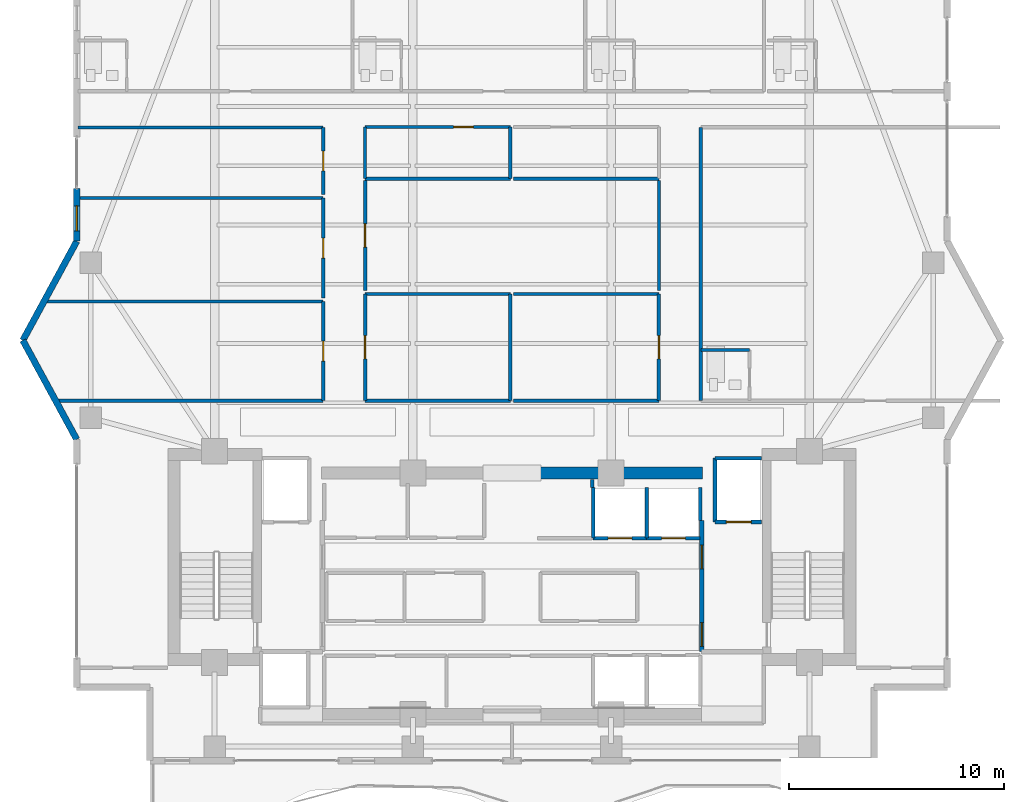
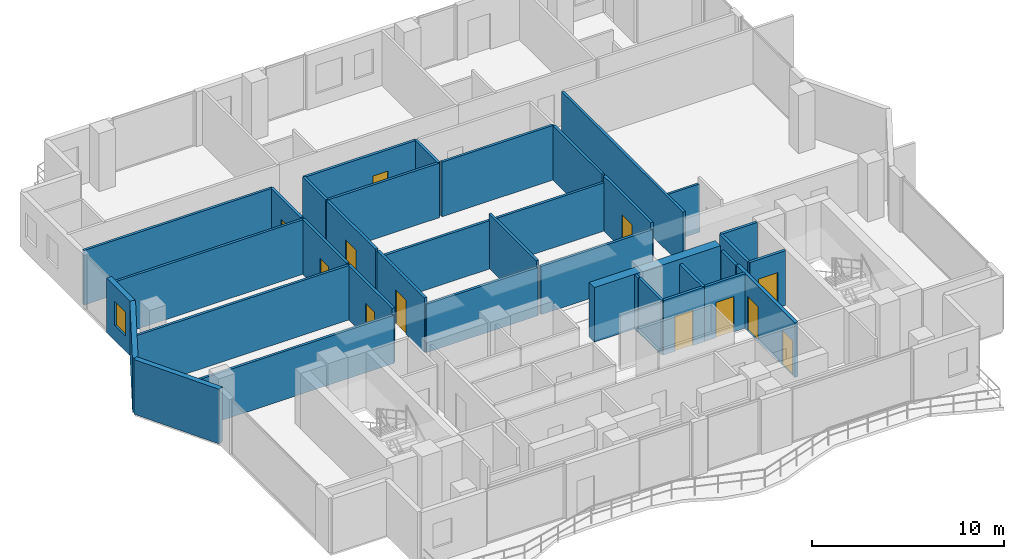
# One storey, part 18 of 23: 37 walls, 12 doors, 1 window, 13 openings.
"""IFC4 building model written with IfcOpenShell, lengths in metres."""

from ifc_helpers import new_model, si_unit, direction, frame, frame_2d, origin, place, context, subcontext, project, spatial, rectangle, extrude, material, layer, layer_set, type_object, element, fill, save


model = new_model("IFC4")

# Units and contexts
model_context = context("Model", 3, precision=1e-05, world=origin(), true_north=direction((0.0, 1.0)))
body_context = subcontext(model_context, "Body", "Model", "MODEL_VIEW")
ifc_project = project(units=[si_unit("LENGTHUNIT", "METRE"), si_unit("AREAUNIT", "SQUARE_METRE"), si_unit("VOLUMEUNIT", "CUBIC_METRE"), si_unit("PLANEANGLEUNIT", "RADIAN"), si_unit("MASSUNIT", "GRAM", prefix="KILO")], contexts=[model_context])

# Site, building, storey
site_placement = place(None, origin())
site = spatial("IfcSite", under=ifc_project, at=site_placement, CompositionType="ELEMENT")
building_placement = place(site_placement, origin())
building = spatial("IfcBuilding", under=site, at=building_placement, Name="Zuhayl Quay Hotel", CompositionType="ELEMENT")
storey_placement = place(building_placement, frame((0.0, 0.0, 265.550048828125)))
storey = spatial("IfcBuildingStorey", under=building, at=storey_placement, Name="L67", CompositionType="ELEMENT", Elevation=265.550048828125)

# Walls
ifc_material_1 = material(Name="Concrete C50/60", Category="concrete")
ifc_layer_1 = layer(ifc_material_1, 0.550048828125, Name="Concrete C50/60", Category="concrete")
ifc_layer_set_1 = layer_set([ifc_layer_1], Name="Concrete C50/60")
wall_type_1 = type_object("IfcWallType", Name="WL_CORE_550", PredefinedType="SHEAR", material=ifc_layer_set_1)
wall_1_placement = place(storey_placement, frame((1.25, 13.35009765625, 0.0), z_axis=(0.0, 0.0, 1.0), x_axis=(1.0, 0.0, 0.0)))
element("IfcWall", 1, at=wall_1_placement, inside=storey, type_object=wall_type_1, Name="L67 Core Shear Wall CW_NC_E", PredefinedType="SHEAR", context=body_context, shape_type="SweptSolid", body=[
    extrude(rectangle(XDim=7.60009765625, YDim=0.550048828125, at=frame_2d((3.800048828125, 0.0))), origin(), (0.0, 0.0, 1.0), 3.47998046875),
])
ifc_material_2 = material(Name="Precast concrete C45/55", Category="concrete")
ifc_layer_2 = layer(ifc_material_2, 0.300048828125, Name="Precast concrete C45/55", Category="concrete")
ifc_layer_set_2 = layer_set([ifc_layer_2], Name="Precast concrete C45/55")
wall_type_2 = type_object("IfcWallType", Name="WL_EXT_300", PredefinedType="STANDARD", material=ifc_layer_set_2)
for number, where, z_axis, x_axis, name in (
    (2, (-20.199951171875, 14.89990234375, 0.0), (0.0, 0.0, 1.0), (-0.477505494629, 0.878628762675, 0.0), "L67 Exterior Precast Wall ENV_L67_EW03"),
    (3, (-22.699951171875, 19.5, 0.0), (0.0, 0.0, 1.0), (0.477505494629, 0.878628762675, 0.0), "L67 Exterior Precast Wall ENV_L67_EW04"),
):
    element("IfcWall", number, at=place(storey_placement, frame(where, z_axis=z_axis, x_axis=x_axis)), inside=storey, type_object=wall_type_2, Name=name, PredefinedType="STANDARD", context=body_context, shape_type="SweptSolid", body=[
        extrude(rectangle(XDim=5.235595703125, YDim=0.300048828125, at=frame_2d((2.61767578125, 0.0))), origin(), (0.0, 0.0, 1.0), 3.47998046875),
    ])

# Wall, opening, window
wall_2_placement = place(storey_placement, frame((-20.199951171875, 24.10009765625, 0.0), z_axis=(0.0, 0.0, 1.0), x_axis=(0.0, 1.0, 0.0)))
wall_2 = element("IfcWall", 4, at=wall_2_placement, inside=storey, type_object=wall_type_2, Name="L67 Exterior Precast Wall ENV_L67_E05_EW1", PredefinedType="STANDARD", context=body_context, shape_type="SweptSolid", body=[
    extrude(rectangle(XDim=2.449951171875, YDim=0.300048828125, at=frame_2d((1.22509765625, 0.0))), origin(), (0.0, 0.0, 1.0), 3.47998046875),
])
opening_1_placement = place(wall_2_placement, frame((0.485107421875, 0.0, 0.949951171875)))
opening_1 = element("IfcOpeningElement", 5, at=opening_1_placement, cuts=wall_2, Name="Opening W01N", PredefinedType="OPENING", context=body_context, shape_type="SweptSolid", body=[
    extrude(rectangle(XDim=1.14990234375, YDim=1.550048828125, at=frame_2d((0.574951171875, 0.77490234375))), frame((0.0, 0.159912109375, 0.0), z_axis=(0.0, -1.0, 0.0), x_axis=(1.0, 0.0, 0.0)), (0.0, 0.0, 1.0), 0.320068359375),
])
ifc_material_3 = material(Name="Dark Ceramic-Fritted Solar Glass", Category="glass")
window_type = type_object("IfcWindowType", Name="WN_NOTCH_1350", PartitioningType="SINGLE_PANEL", PredefinedType="WINDOW", material=ifc_material_3)
window_placement = place(opening_1_placement, origin())
window = element("IfcWindow", 6, at=window_placement, inside=storey, type_object=window_type, Name="L67 Operable Facade Window 1-1", OverallHeight=1.550048828125, OverallWidth=1.14990234375, PartitioningType="SINGLE_PANEL", PredefinedType="WINDOW", context=body_context, shape_type="SweptSolid", body=[
    extrude(rectangle(XDim=1.14990234375, YDim=1.550048828125, at=frame_2d((0.574951171875, 0.77490234375))), frame((0.0, 0.030029296875, 0.0), z_axis=(0.0, -1.0, 0.0), x_axis=(1.0, 0.0, 0.0)), (0.0, 0.0, 1.0), 0.06005859375),
])
fill(opening_1, window)

# Walls
ifc_material_4 = material(Name="Acoustic Gypsum Partition STC-58")
ifc_layer_3 = layer(ifc_material_4, 0.14990234375, Name="Acoustic Gypsum Partition STC-58")
ifc_layer_set_3 = layer_set([ifc_layer_3], Name="Acoustic Gypsum Partition STC-58")
wall_type_3 = type_object("IfcWallType", Name="WL_PART_150", PredefinedType="PARTITIONING", material=ifc_layer_set_3)
wall_3_placement = place(storey_placement, frame((3.719970703125, 12.679931640625, 0.0), z_axis=(0.0, 0.0, 1.0), x_axis=(0.0, 1.0, 0.0)))
element("IfcWall", 7, at=wall_3_placement, inside=storey, type_object=wall_type_3, Name="L67 Partition IW_L67_VEST_MP4_E", PredefinedType="PARTITIONING", context=body_context, shape_type="SweptSolid", body=[
    extrude(rectangle(XDim=0.3701171875, YDim=0.14990234375, at=frame_2d((0.18505859375, 0.0))), origin(), (0.0, 0.0, 1.0), 3.47998046875),
])
wall_4_placement = place(storey_placement, frame((-6.820068359375, 27.0, 0.0), z_axis=(0.0, 0.0, 1.0), x_axis=(1.0, 0.0, 0.0)))
element("IfcWall", 8, at=wall_4_placement, inside=storey, type_object=wall_type_3, Name="L67 Partition IW_L67_HK_MAIN_S", PredefinedType="PARTITIONING", context=body_context, shape_type="SweptSolid", body=[
    extrude(rectangle(XDim=6.739990234375, YDim=0.14990234375, at=frame_2d((3.3701171875, 0.0))), origin(), (0.0, 0.0, 1.0), 3.47998046875),
])
for number, where, z_axis, x_axis, name in (
    (9, (-6.820068359375, 27.0, 0.0), (0.0, 0.0, 1.0), (0.0, 1.0, 0.0), "L67 Partition IW_L67_HK_MAIN_W"),
    (10, (-0.080078125, 27.0, 0.0), (0.0, 0.0, 1.0), (0.0, 1.0, 0.0), "L67 Partition IW_L67_HK_MAIN_E"),
):
    element("IfcWall", number, at=place(storey_placement, frame(where, z_axis=z_axis, x_axis=x_axis)), inside=storey, type_object=wall_type_3, Name=name, PredefinedType="PARTITIONING", context=body_context, shape_type="SweptSolid", body=[
        extrude(rectangle(XDim=2.39990234375, YDim=0.14990234375, at=frame_2d((1.199951171875, 0.0))), origin(), (0.0, 0.0, 1.0), 3.47998046875),
    ])
wall_5_placement = place(storey_placement, frame((0.080078125, 27.0, 0.0), z_axis=(0.0, 0.0, 1.0), x_axis=(1.0, 0.0, 0.0)))
element("IfcWall", 11, at=wall_5_placement, inside=storey, type_object=wall_type_3, Name="L67 Partition IW_L67_TEA_MAIN_S", PredefinedType="PARTITIONING", context=body_context, shape_type="SweptSolid", body=[
    extrude(rectangle(XDim=6.739990234375, YDim=0.14990234375, at=frame_2d((3.3701171875, 0.0))), origin(), (0.0, 0.0, 1.0), 3.47998046875),
])
for number, where, z_axis, x_axis, name in (
    (12, (-6.820068359375, 16.699951171875, 0.0), (0.0, 0.0, 1.0), (1.0, 0.0, 0.0), "L67 Partition IW_L67_Z4_CT1A_S"),
    (13, (-6.820068359375, 21.64990234375, 0.0), (0.0, 0.0, 1.0), (1.0, 0.0, 0.0), "L67 Partition IW_L67_Z4_CT1A_N"),
):
    element("IfcWall", number, at=place(storey_placement, frame(where, z_axis=z_axis, x_axis=x_axis)), inside=storey, type_object=wall_type_3, Name=name, PredefinedType="PARTITIONING", context=body_context, shape_type="SweptSolid", body=[
        extrude(rectangle(XDim=6.739990234375, YDim=0.14990234375, at=frame_2d((3.3701171875, 0.0))), origin(), (0.0, 0.0, 1.0), 3.075927734375),
    ])
wall_6_placement = place(storey_placement, frame((-0.080078125, 16.699951171875, 0.0), z_axis=(0.0, 0.0, 1.0), x_axis=(0.0, 1.0, 0.0)))
element("IfcWall", 14, at=wall_6_placement, inside=storey, type_object=wall_type_3, Name="L67 Partition IW_L67_Z4_CT1A_E", PredefinedType="PARTITIONING", context=body_context, shape_type="SweptSolid", body=[
    extrude(rectangle(XDim=4.949951171875, YDim=0.14990234375, at=frame_2d((2.47509765625, 0.0))), origin(), (0.0, 0.0, 1.0), 3.47998046875),
])
for number, where, z_axis, x_axis, name in (
    (15, (0.080078125, 16.699951171875, 0.0), (0.0, 0.0, 1.0), (1.0, 0.0, 0.0), "L67 Partition IW_L67_Z4_CT1B_S"),
    (16, (0.080078125, 21.64990234375, 0.0), (0.0, 0.0, 1.0), (1.0, 0.0, 0.0), "L67 Partition IW_L67_Z4_CT1B_N"),
):
    element("IfcWall", number, at=place(storey_placement, frame(where, z_axis=z_axis, x_axis=x_axis)), inside=storey, type_object=wall_type_3, Name=name, PredefinedType="PARTITIONING", context=body_context, shape_type="SweptSolid", body=[
        extrude(rectangle(XDim=6.739990234375, YDim=0.14990234375, at=frame_2d((3.3701171875, 0.0))), origin(), (0.0, 0.0, 1.0), 3.075927734375),
    ])
wall_7_placement = place(storey_placement, frame((6.820068359375, 21.81005859375, 0.0), z_axis=(0.0, 0.0, 1.0), x_axis=(0.0, 1.0, 0.0)))
element("IfcWall", 17, at=wall_7_placement, inside=storey, type_object=wall_type_3, Name="L67 Partition IW_L67_Z4_CT2_E", PredefinedType="PARTITIONING", context=body_context, shape_type="SweptSolid", body=[
    extrude(rectangle(XDim=5.10986328125, YDim=0.14990234375, at=frame_2d((2.554931640625, 0.0))), origin(), (0.0, 0.0, 1.0), 3.47998046875),
])
wall_8_placement = place(storey_placement, frame((-21.118408203125, 16.699951171875, 0.0), z_axis=(0.0, 0.0, 1.0), x_axis=(1.0, 0.0, 0.0)))
element("IfcWall", 18, at=wall_8_placement, inside=storey, type_object=wall_type_3, Name="L67 Partition IW_L67_Z4_W1_S", PredefinedType="PARTITIONING", context=body_context, shape_type="SweptSolid", body=[
    extrude(rectangle(XDim=12.3583984375, YDim=0.14990234375, at=frame_2d((6.17919921875, 0.0))), origin(), (0.0, 0.0, 1.0), 3.075927734375),
])
wall_9_placement = place(storey_placement, frame((-21.66162109375, 21.300048828125, 0.0), z_axis=(0.0, 0.0, 1.0), x_axis=(1.0, 0.0, 0.0)))
element("IfcWall", 19, at=wall_9_placement, inside=storey, type_object=wall_type_3, Name="L67 Partition IW_L67_Z4_W1_N", PredefinedType="PARTITIONING", context=body_context, shape_type="SweptSolid", body=[
    extrude(rectangle(XDim=12.901611328125, YDim=0.14990234375, at=frame_2d((6.45068359375, 0.0))), origin(), (0.0, 0.0, 1.0), 3.47998046875),
])
for number, where, z_axis, x_axis, name in (
    (20, (-20.139892578125, 26.10009765625, 0.0), (0.0, 0.0, 1.0), (1.0, 0.0, 0.0), "L67 Partition IW_L67_Z4_W2_N"),
    (21, (-20.139892578125, 29.3798828125, 0.0), (0.0, 0.0, 1.0), (1.0, 0.0, 0.0), "L67 Partition IW_L67_Z4_W3_N"),
):
    element("IfcWall", number, at=place(storey_placement, frame(where, z_axis=z_axis, x_axis=x_axis)), inside=storey, type_object=wall_type_3, Name=name, PredefinedType="PARTITIONING", context=body_context, shape_type="SweptSolid", body=[
        extrude(rectangle(XDim=11.3798828125, YDim=0.14990234375, at=frame_2d((5.68994140625, 0.0))), origin(), (0.0, 0.0, 1.0), 3.47998046875),
    ])
wall_10_placement = place(storey_placement, frame((8.760009765625, 16.699951171875, 0.0), z_axis=(0.0, 0.0, 1.0), x_axis=(0.0, 1.0, 0.0)))
element("IfcWall", 22, at=wall_10_placement, inside=storey, type_object=wall_type_3, Name="L67 Partition IW_L67_EU01_W", PredefinedType="PARTITIONING", context=body_context, shape_type="SweptSolid", body=[
    extrude(rectangle(XDim=12.679931640625, YDim=0.14990234375, at=frame_2d((6.33984375, 0.0))), origin(), (0.0, 0.0, 1.0), 3.47998046875),
])

# Wall, opening, door
ifc_layer_4 = layer(ifc_material_4, 0.159912109375, Name="Acoustic Gypsum Partition STC-58")
ifc_layer_set_4 = layer_set([ifc_layer_4], Name="Acoustic Gypsum Partition STC-58")
wall_type_4 = type_object("IfcWallType", Name="WL_PART_CORR_160", PredefinedType="PARTITIONING", material=ifc_layer_set_4)
wall_11_placement = place(storey_placement, frame((-6.820068359375, 29.39990234375, 0.0), z_axis=(0.0, 0.0, 1.0), x_axis=(1.0, 0.0, 0.0)))
wall_11 = element("IfcWall", 23, at=wall_11_placement, inside=storey, type_object=wall_type_4, Name="L67 Partition IW_L67_HK_MAIN_N", PredefinedType="PARTITIONING", context=body_context, shape_type="SweptSolid", body=[
    extrude(rectangle(XDim=6.739990234375, YDim=0.159912109375, at=frame_2d((3.3701171875, 0.0))), origin(), (0.0, 0.0, 1.0), 3.47998046875),
])
opening_2_placement = place(wall_11_placement, frame((4.110107421875, 0.0, 0.0)))
opening_2 = element("IfcOpeningElement", 24, at=opening_2_placement, cuts=wall_11, Name="Opening D05", PredefinedType="OPENING", context=body_context, shape_type="SweptSolid", body=[
    extrude(rectangle(XDim=0.919921875, YDim=2.1201171875, at=frame_2d((0.4599609375, 1.06005859375))), frame((0.0, 0.08984375, 0.0), z_axis=(0.0, -1.0, 0.0), x_axis=(1.0, 0.0, 0.0)), (0.0, 0.0, 1.0), 0.179931640625),
])
ifc_material_5 = material(Name="Solid Walnut Acoustic Fire Door")
door_type_1 = type_object("IfcDoorType", Name="DR_INT_950", OperationType="NOTDEFINED", PredefinedType="DOOR", material=ifc_material_5)
door_1_placement = place(opening_2_placement, origin())
door_1 = element("IfcDoor", 25, at=door_1_placement, inside=storey, type_object=door_type_1, Name="L67 Housekeeping and Linen Room Door", OperationType="SINGLE_SWING_LEFT", OverallHeight=2.1201171875, OverallWidth=0.919921875, PredefinedType="DOOR", context=body_context, shape_type="SweptSolid", body=[
    extrude(rectangle(XDim=0.919921875, YDim=2.1201171875, at=frame_2d((0.4599609375, 1.06005859375))), frame((0.0, 0.02490234375, 0.0), z_axis=(0.0, -1.0, 0.0), x_axis=(1.0, 0.0, 0.0)), (0.0, 0.0, 1.0), 0.050048828125),
])
fill(opening_2, door_1)

wall_12_placement = place(storey_placement, frame((-6.820068359375, 16.699951171875, 0.0), z_axis=(0.0, 0.0, 1.0), x_axis=(0.0, 1.0, 0.0)))
wall_12 = element("IfcWall", 26, at=wall_12_placement, inside=storey, type_object=wall_type_4, Name="L67 Partition IW_L67_Z4_CT1A_W", PredefinedType="PARTITIONING", context=body_context, shape_type="SweptSolid", body=[
    extrude(rectangle(XDim=4.949951171875, YDim=0.159912109375, at=frame_2d((2.47509765625, 0.0))), origin(), (0.0, 0.0, 1.0), 3.47998046875),
])
opening_3_placement = place(wall_12_placement, frame((1.93505859375, 0.0, 0.0)))
opening_3 = element("IfcOpeningElement", 27, at=opening_3_placement, cuts=wall_12, Name="Opening D05A", PredefinedType="OPENING", context=body_context, shape_type="SweptSolid", body=[
    extrude(rectangle(XDim=1.080078125, YDim=2.179931640625, at=frame_2d((0.5400390625, 1.08984375))), frame((0.0, 0.08984375, 0.0), z_axis=(0.0, -1.0, 0.0), x_axis=(1.0, 0.0, 0.0)), (0.0, 0.0, 1.0), 0.179931640625),
])
door_type_2 = type_object("IfcDoorType", Name="DR_INT_1100", OperationType="NOTDEFINED", PredefinedType="DOOR", material=ifc_material_5)
door_2_placement = place(opening_3_placement, origin())
door_2 = element("IfcDoor", 28, at=door_2_placement, inside=storey, type_object=door_type_2, Name="L67 Sky Reading Study Door", OperationType="SINGLE_SWING_LEFT", OverallHeight=2.179931640625, OverallWidth=1.080078125, PredefinedType="DOOR", context=body_context, shape_type="SweptSolid", body=[
    extrude(rectangle(XDim=1.080078125, YDim=2.179931640625, at=frame_2d((0.5400390625, 1.08984375))), frame((0.0, 0.02490234375, 0.0), z_axis=(0.0, -1.0, 0.0), x_axis=(1.0, 0.0, 0.0)), (0.0, 0.0, 1.0), 0.050048828125),
])
fill(opening_3, door_2)

wall_13_placement = place(storey_placement, frame((6.820068359375, 16.699951171875, 0.0), z_axis=(0.0, 0.0, 1.0), x_axis=(0.0, 1.0, 0.0)))
wall_13 = element("IfcWall", 29, at=wall_13_placement, inside=storey, type_object=wall_type_4, Name="L67 Partition IW_L67_Z4_CT1B_E", PredefinedType="PARTITIONING", context=body_context, shape_type="SweptSolid", body=[
    extrude(rectangle(XDim=4.949951171875, YDim=0.159912109375, at=frame_2d((2.47509765625, 0.0))), origin(), (0.0, 0.0, 1.0), 3.47998046875),
])
opening_4_placement = place(wall_13_placement, frame((1.93505859375, 0.0, 0.0)))
opening_4 = element("IfcOpeningElement", 30, at=opening_4_placement, cuts=wall_13, Name="Opening D05A", PredefinedType="OPENING", context=body_context, shape_type="SweptSolid", body=[
    extrude(rectangle(XDim=1.080078125, YDim=2.179931640625, at=frame_2d((0.5400390625, 1.08984375))), frame((0.0, 0.08984375, 0.0), z_axis=(0.0, -1.0, 0.0), x_axis=(1.0, 0.0, 0.0)), (0.0, 0.0, 1.0), 0.179931640625),
])
door_3_placement = place(opening_4_placement, origin())
door_3 = element("IfcDoor", 31, at=door_3_placement, inside=storey, type_object=door_type_2, Name="L67 Royal Library Lounge Door", OperationType="SINGLE_SWING_RIGHT", OverallHeight=2.179931640625, OverallWidth=1.080078125, PredefinedType="DOOR", context=body_context, shape_type="SweptSolid", body=[
    extrude(rectangle(XDim=1.080078125, YDim=2.179931640625, at=frame_2d((0.5400390625, 1.08984375))), frame((0.0, 0.02490234375, 0.0), z_axis=(0.0, -1.0, 0.0), x_axis=(1.0, 0.0, 0.0)), (0.0, 0.0, 1.0), 0.050048828125),
])
fill(opening_4, door_3)

wall_14_placement = place(storey_placement, frame((-6.820068359375, 21.81005859375, 0.0), z_axis=(0.0, 0.0, 1.0), x_axis=(0.0, 1.0, 0.0)))
wall_14 = element("IfcWall", 32, at=wall_14_placement, inside=storey, type_object=wall_type_4, Name="L67 Partition IW_L67_Z4_CT2_W", PredefinedType="PARTITIONING", context=body_context, shape_type="SweptSolid", body=[
    extrude(rectangle(XDim=5.10986328125, YDim=0.159912109375, at=frame_2d((2.554931640625, 0.0))), origin(), (0.0, 0.0, 1.0), 3.47998046875),
])
opening_5_placement = place(wall_14_placement, frame((2.014892578125, 0.0, 0.0)))
opening_5 = element("IfcOpeningElement", 33, at=opening_5_placement, cuts=wall_14, Name="Opening D05A", PredefinedType="OPENING", context=body_context, shape_type="SweptSolid", body=[
    extrude(rectangle(XDim=1.080078125, YDim=2.179931640625, at=frame_2d((0.5400390625, 1.08984375))), frame((0.0, 0.08984375, 0.0), z_axis=(0.0, -1.0, 0.0), x_axis=(1.0, 0.0, 0.0)), (0.0, 0.0, 1.0), 0.179931640625),
])
door_4_placement = place(opening_5_placement, origin())
door_4 = element("IfcDoor", 34, at=door_4_placement, inside=storey, type_object=door_type_2, Name="L67 Royal Screening Salon Door", OperationType="SINGLE_SWING_LEFT", OverallHeight=2.179931640625, OverallWidth=1.080078125, PredefinedType="DOOR", context=body_context, shape_type="SweptSolid", body=[
    extrude(rectangle(XDim=1.080078125, YDim=2.179931640625, at=frame_2d((0.5400390625, 1.08984375))), frame((0.0, 0.02490234375, 0.0), z_axis=(0.0, -1.0, 0.0), x_axis=(1.0, 0.0, 0.0)), (0.0, 0.0, 1.0), 0.050048828125),
])
fill(opening_5, door_4)

wall_15_placement = place(storey_placement, frame((-8.760009765625, 16.699951171875, 0.0), z_axis=(0.0, 0.0, 1.0), x_axis=(0.0, 1.0, 0.0)))
wall_15 = element("IfcWall", 35, at=wall_15_placement, inside=storey, type_object=wall_type_4, Name="L67 Partition IW_L67_Z4_W1_E", PredefinedType="PARTITIONING", context=body_context, shape_type="SweptSolid", body=[
    extrude(rectangle(XDim=4.60009765625, YDim=0.159912109375, at=frame_2d((2.300048828125, 0.0))), origin(), (0.0, 0.0, 1.0), 3.47998046875),
])
opening_6_placement = place(wall_15_placement, frame((1.840087890625, 0.0, 0.0)))
opening_6 = element("IfcOpeningElement", 36, at=opening_6_placement, cuts=wall_15, Name="Opening D05", PredefinedType="OPENING", context=body_context, shape_type="SweptSolid", body=[
    extrude(rectangle(XDim=0.919921875, YDim=2.1201171875, at=frame_2d((0.4599609375, 1.06005859375))), frame((0.0, 0.08984375, 0.0), z_axis=(0.0, -1.0, 0.0), x_axis=(1.0, 0.0, 0.0)), (0.0, 0.0, 1.0), 0.179931640625),
])
door_5_placement = place(opening_6_placement, origin())
door_5 = element("IfcDoor", 37, at=door_5_placement, inside=storey, type_object=door_type_1, Name="L67 West Gallery Salon Door", OperationType="SINGLE_SWING_RIGHT", OverallHeight=2.1201171875, OverallWidth=0.919921875, PredefinedType="DOOR", context=body_context, shape_type="SweptSolid", body=[
    extrude(rectangle(XDim=0.919921875, YDim=2.1201171875, at=frame_2d((0.4599609375, 1.06005859375))), frame((0.0, 0.02490234375, 0.0), z_axis=(0.0, -1.0, 0.0), x_axis=(1.0, 0.0, 0.0)), (0.0, 0.0, 1.0), 0.050048828125),
])
fill(opening_6, door_5)

wall_16_placement = place(storey_placement, frame((-8.760009765625, 21.4599609375, 0.0), z_axis=(0.0, 0.0, 1.0), x_axis=(0.0, 1.0, 0.0)))
wall_16 = element("IfcWall", 38, at=wall_16_placement, inside=storey, type_object=wall_type_4, Name="L67 Partition IW_L67_Z4_W2_E", PredefinedType="PARTITIONING", context=body_context, shape_type="SweptSolid", body=[
    extrude(rectangle(XDim=4.64013671875, YDim=0.159912109375, at=frame_2d((2.320068359375, 0.0))), origin(), (0.0, 0.0, 1.0), 3.47998046875),
])
opening_7_placement = place(wall_16_placement, frame((1.860107421875, 0.0, 0.0)))
opening_7 = element("IfcOpeningElement", 39, at=opening_7_placement, cuts=wall_16, Name="Opening D05", PredefinedType="OPENING", context=body_context, shape_type="SweptSolid", body=[
    extrude(rectangle(XDim=0.919921875, YDim=2.1201171875, at=frame_2d((0.4599609375, 1.06005859375))), frame((0.0, 0.08984375, 0.0), z_axis=(0.0, -1.0, 0.0), x_axis=(1.0, 0.0, 0.0)), (0.0, 0.0, 1.0), 0.179931640625),
])
door_6_placement = place(opening_7_placement, origin())
door_6 = element("IfcDoor", 40, at=door_6_placement, inside=storey, type_object=door_type_1, Name="L67 West Music Salon Door", OperationType="SINGLE_SWING_LEFT", OverallHeight=2.1201171875, OverallWidth=0.919921875, PredefinedType="DOOR", context=body_context, shape_type="SweptSolid", body=[
    extrude(rectangle(XDim=0.919921875, YDim=2.1201171875, at=frame_2d((0.4599609375, 1.06005859375))), frame((0.0, 0.02490234375, 0.0), z_axis=(0.0, -1.0, 0.0), x_axis=(1.0, 0.0, 0.0)), (0.0, 0.0, 1.0), 0.050048828125),
])
fill(opening_7, door_6)

wall_17_placement = place(storey_placement, frame((-8.760009765625, 26.260009765625, 0.0), z_axis=(0.0, 0.0, 1.0), x_axis=(0.0, 1.0, 0.0)))
wall_17 = element("IfcWall", 41, at=wall_17_placement, inside=storey, type_object=wall_type_4, Name="L67 Partition IW_L67_Z4_W3_E", PredefinedType="PARTITIONING", context=body_context, shape_type="SweptSolid", body=[
    extrude(rectangle(XDim=3.119873046875, YDim=0.159912109375, at=frame_2d((1.56005859375, 0.0))), origin(), (0.0, 0.0, 1.0), 3.47998046875),
])
opening_8_placement = place(wall_17_placement, frame((1.10009765625, 0.0, 0.0)))
opening_8 = element("IfcOpeningElement", 42, at=opening_8_placement, cuts=wall_17, Name="Opening D05", PredefinedType="OPENING", context=body_context, shape_type="SweptSolid", body=[
    extrude(rectangle(XDim=0.919921875, YDim=2.1201171875, at=frame_2d((0.4599609375, 1.06005859375))), frame((0.0, 0.08984375, 0.0), z_axis=(0.0, -1.0, 0.0), x_axis=(1.0, 0.0, 0.0)), (0.0, 0.0, 1.0), 0.179931640625),
])
door_7_placement = place(opening_8_placement, origin())
door_7 = element("IfcDoor", 43, at=door_7_placement, inside=storey, type_object=door_type_1, Name="L67 West Tea Conservatory Door", OperationType="SINGLE_SWING_RIGHT", OverallHeight=2.1201171875, OverallWidth=0.919921875, PredefinedType="DOOR", context=body_context, shape_type="SweptSolid", body=[
    extrude(rectangle(XDim=0.919921875, YDim=2.1201171875, at=frame_2d((0.4599609375, 1.06005859375))), frame((0.0, 0.02490234375, 0.0), z_axis=(0.0, -1.0, 0.0), x_axis=(1.0, 0.0, 0.0)), (0.0, 0.0, 1.0), 0.050048828125),
])
fill(opening_8, door_7)

# Wall
ifc_material_6 = material(Name="Moisture-Resistant Sanitarychase Gypsum")
ifc_layer_5 = layer(ifc_material_6, 0.135009765625, Name="Moisture-Resistant Sanitarychase Gypsum")
ifc_layer_set_5 = layer_set([ifc_layer_5], Name="Moisture-Resistant Sanitarychase Gypsum")
wall_type_5 = type_object("IfcWallType", Name="WL_PART_PLUMB_150", PredefinedType="PLUMBINGWALL", material=ifc_layer_set_5)
wall_18_placement = place(storey_placement, frame((8.760009765625, 19.06005859375, 0.0), z_axis=(0.0, 0.0, 1.0), x_axis=(1.0, 0.0, 0.0)))
element("IfcWall", 44, at=wall_18_placement, inside=storey, type_object=wall_type_5, Name="L67 Partition IW_L67_EU01_BN", PredefinedType="PLUMBINGWALL", context=body_context, shape_type="SweptSolid", body=[
    extrude(rectangle(XDim=2.260009765625, YDim=0.135009765625, at=frame_2d((1.1298828125, 0.0))), origin(), (0.0, 0.0, 1.0), 3.075927734375),
])

# Wall, opening, door
ifc_material_7 = material(Name="Gypsum Fireboard Assembly EI-90")
ifc_layer_6 = layer(ifc_material_7, 0.1650390625, Name="Gypsum Fireboard Assembly EI-90")
ifc_layer_set_6 = layer_set([ifc_layer_6], Name="Gypsum Fireboard Assembly EI-90")
wall_type_6 = type_object("IfcWallType", Name="WL_PART_SHAFT_160", PredefinedType="PARTITIONING", material=ifc_layer_set_6)
wall_19_placement = place(storey_placement, frame((9.419921875, 11.070068359375, 0.0), z_axis=(0.0, 0.0, 1.0), x_axis=(1.0, 0.0, 0.0)))
wall_19 = element("IfcWall", 45, at=wall_19_placement, inside=storey, type_object=wall_type_6, Name="L67 Partition IW_L67_SH_FL2_F", PredefinedType="PARTITIONING", context=body_context, shape_type="SweptSolid", body=[
    extrude(rectangle(XDim=2.16015625, YDim=0.1650390625, at=frame_2d((1.080078125, 0.0))), origin(), (0.0, 0.0, 1.0), 3.47998046875),
])
opening_9_placement = place(wall_19_placement, frame((0.530029296875, 0.0, 0.0)))
opening_9 = element("IfcOpeningElement", 46, at=opening_9_placement, cuts=wall_19, Name="Opening LD2", PredefinedType="OPENING", context=body_context, shape_type="SweptSolid", body=[
    extrude(rectangle(XDim=1.14990234375, YDim=2.25, at=frame_2d((0.574951171875, 1.125))), frame((0.0, 0.092529296875, 0.0), z_axis=(0.0, -1.0, 0.0), x_axis=(1.0, 0.0, 0.0)), (0.0, 0.0, 1.0), 0.18505859375),
])
ifc_material_8 = material(Name="Brushed Stainless Steel", Category="steel")
door_type_3 = type_object("IfcDoorType", Name="DR_LIFT_FF_1100", OperationType="SLIDING_TO_LEFT", PredefinedType="DOOR", material=ifc_material_8)
door_8_placement = place(opening_9_placement, origin())
door_8 = element("IfcDoor", 47, at=door_8_placement, inside=storey, type_object=door_type_3, Name="L67 Lift FL2 Sliding Landing Door", OperationType="SLIDING_TO_LEFT", OverallHeight=2.25, OverallWidth=1.14990234375, PredefinedType="DOOR", context=body_context, shape_type="SweptSolid", body=[
    extrude(rectangle(XDim=1.14990234375, YDim=2.25, at=frame_2d((0.574951171875, 1.125))), frame((0.0, 0.02490234375, 0.0), z_axis=(0.0, -1.0, 0.0), x_axis=(1.0, 0.0, 0.0)), (0.0, 0.0, 1.0), 0.050048828125),
])
fill(opening_9, door_8)

wall_20_placement = place(storey_placement, frame((3.77001953125, 10.320068359375, 0.0), z_axis=(0.0, 0.0, 1.0), x_axis=(1.0, 0.0, 0.0)))
wall_20 = element("IfcWall", 48, at=wall_20_placement, inside=storey, type_object=wall_type_6, Name="L67 Partition IW_L67_SH_HP3_F", PredefinedType="PARTITIONING", context=body_context, shape_type="SweptSolid", body=[
    extrude(rectangle(XDim=2.47998046875, YDim=0.1650390625, at=frame_2d((1.239990234375, 0.0))), origin(), (0.0, 0.0, 1.0), 3.47998046875),
])
opening_10_placement = place(wall_20_placement, frame((0.68994140625, 0.0, 0.0)))
opening_10 = element("IfcOpeningElement", 49, at=opening_10_placement, cuts=wall_20, Name="Opening LD1", PredefinedType="OPENING", context=body_context, shape_type="SweptSolid", body=[
    extrude(rectangle(XDim=1.10009765625, YDim=2.25, at=frame_2d((0.550048828125, 1.125))), frame((0.0, 0.092529296875, 0.0), z_axis=(0.0, -1.0, 0.0), x_axis=(1.0, 0.0, 0.0)), (0.0, 0.0, 1.0), 0.18505859375),
])
door_type_4 = type_object("IfcDoorType", Name="DR_LIFT_PASS_1100", OperationType="SLIDING_TO_LEFT", PredefinedType="DOOR", material=ifc_material_8)
door_9_placement = place(opening_10_placement, origin())
door_9 = element("IfcDoor", 50, at=door_9_placement, inside=storey, type_object=door_type_4, Name="L67 Lift HP3 Sliding Landing Door", OperationType="SLIDING_TO_LEFT", OverallHeight=2.25, OverallWidth=1.10009765625, PredefinedType="DOOR", context=body_context, shape_type="SweptSolid", body=[
    extrude(rectangle(XDim=1.10009765625, YDim=2.25, at=frame_2d((0.550048828125, 1.125))), frame((0.0, 0.02490234375, 0.0), z_axis=(0.0, -1.0, 0.0), x_axis=(1.0, 0.0, 0.0)), (0.0, 0.0, 1.0), 0.050048828125),
])
fill(opening_10, door_9)

wall_21_placement = place(storey_placement, frame((6.25, 10.320068359375, 0.0), z_axis=(0.0, 0.0, 1.0), x_axis=(1.0, 0.0, 0.0)))
wall_21 = element("IfcWall", 51, at=wall_21_placement, inside=storey, type_object=wall_type_6, Name="L67 Partition IW_L67_SH_HP4_F", PredefinedType="PARTITIONING", context=body_context, shape_type="SweptSolid", body=[
    extrude(rectangle(XDim=2.47998046875, YDim=0.1650390625, at=frame_2d((1.239990234375, 0.0))), origin(), (0.0, 0.0, 1.0), 3.47998046875),
])
opening_11_placement = place(wall_21_placement, frame((0.68994140625, 0.0, 0.0)))
opening_11 = element("IfcOpeningElement", 52, at=opening_11_placement, cuts=wall_21, Name="Opening LD1", PredefinedType="OPENING", context=body_context, shape_type="SweptSolid", body=[
    extrude(rectangle(XDim=1.10009765625, YDim=2.25, at=frame_2d((0.550048828125, 1.125))), frame((0.0, 0.092529296875, 0.0), z_axis=(0.0, -1.0, 0.0), x_axis=(1.0, 0.0, 0.0)), (0.0, 0.0, 1.0), 0.18505859375),
])
door_10_placement = place(opening_11_placement, origin())
door_10 = element("IfcDoor", 53, at=door_10_placement, inside=storey, type_object=door_type_4, Name="L67 Lift HP4 Sliding Landing Door", OperationType="SLIDING_TO_LEFT", OverallHeight=2.25, OverallWidth=1.10009765625, PredefinedType="DOOR", context=body_context, shape_type="SweptSolid", body=[
    extrude(rectangle(XDim=1.10009765625, YDim=2.25, at=frame_2d((0.550048828125, 1.125))), frame((0.0, 0.02490234375, 0.0), z_axis=(0.0, -1.0, 0.0), x_axis=(1.0, 0.0, 0.0)), (0.0, 0.0, 1.0), 0.050048828125),
])
fill(opening_11, door_10)

# Walls
wall_22_placement = place(storey_placement, frame((9.419921875, 11.070068359375, 0.0), z_axis=(0.0, 0.0, 1.0), x_axis=(0.0, 1.0, 0.0)))
element("IfcWall", 54, at=wall_22_placement, inside=storey, type_object=wall_type_6, Name="L67 Partition IW_L67_SH_FL2_W", PredefinedType="PARTITIONING", context=body_context, shape_type="SweptSolid", body=[
    extrude(rectangle(XDim=2.9599609375, YDim=0.1650390625, at=frame_2d((1.47998046875, 0.0))), origin(), (0.0, 0.0, 1.0), 3.47998046875),
])
wall_23_placement = place(storey_placement, frame((9.419921875, 14.030029296875, 0.0), z_axis=(0.0, 0.0, 1.0), x_axis=(1.0, 0.0, 0.0)))
element("IfcWall", 55, at=wall_23_placement, inside=storey, type_object=wall_type_6, Name="L67 Partition IW_L67_SH_FL2_B", PredefinedType="PARTITIONING", context=body_context, shape_type="SweptSolid", body=[
    extrude(rectangle(XDim=2.16015625, YDim=0.1650390625, at=frame_2d((1.080078125, 0.0))), origin(), (0.0, 0.0, 1.0), 3.47998046875),
])
for number, where, z_axis, x_axis, name in (
    (56, (3.77001953125, 10.320068359375, 0.0), (0.0, 0.0, 1.0), (0.0, 1.0, 0.0), "L67 Partition IW_L67_SH_HP3_W"),
    (57, (6.25, 10.320068359375, 0.0), (0.0, 0.0, 1.0), (0.0, 1.0, 0.0), "L67 Partition IW_L67_SH_HP3_E"),
):
    element("IfcWall", number, at=place(storey_placement, frame(where, z_axis=z_axis, x_axis=x_axis)), inside=storey, type_object=wall_type_6, Name=name, PredefinedType="PARTITIONING", context=body_context, shape_type="SweptSolid", body=[
        extrude(rectangle(XDim=2.35986328125, YDim=0.1650390625, at=frame_2d((1.179931640625, 0.0))), origin(), (0.0, 0.0, 1.0), 3.47998046875),
    ])
wall_24_placement = place(storey_placement, frame((8.72998046875, 11.14990234375, 0.0), z_axis=(0.0, 0.0, 1.0), x_axis=(0.0, 1.0, 0.0)))
element("IfcWall", 58, at=wall_24_placement, inside=storey, type_object=wall_type_6, Name="L67 Partition IW_L67_SH_HP4_E", PredefinedType="PARTITIONING", context=body_context, shape_type="SweptSolid", body=[
    extrude(rectangle(XDim=1.530029296875, YDim=0.1650390625, at=frame_2d((0.76513671875, 0.0))), origin(), (0.0, 0.0, 1.0), 3.47998046875),
])

# Wall, openings, doors
ifc_material_9 = material(Name="Gypsum Fireboard Assembly EI-120")
ifc_layer_7 = layer(ifc_material_9, 0.199951171875, Name="Gypsum Fireboard Assembly EI-120")
ifc_layer_set_7 = layer_set([ifc_layer_7], Name="Gypsum Fireboard Assembly EI-120")
wall_type_7 = type_object("IfcWallType", Name="WL_PART_SHAFT_200", PredefinedType="PARTITIONING", material=ifc_layer_set_7)
wall_25_placement = place(storey_placement, frame((8.800048828125, 11.14990234375, 0.0), z_axis=(0.0, 0.0, 1.0), x_axis=(0.0, -1.0, 0.0)))
wall_25 = element("IfcWall", 59, at=wall_25_placement, inside=storey, type_object=wall_type_7, Name="L67 Partition IW_L67_FSAE_E_W", PredefinedType="PARTITIONING", context=body_context, shape_type="SweptSolid", body=[
    extrude(rectangle(XDim=6.099853515625, YDim=0.199951171875, at=frame_2d((3.0498046875, 0.0))), origin(), (0.0, 0.0, 1.0), 3.47998046875),
])
opening_12_placement = place(wall_25_placement, frame((1.14990234375, 0.0, 0.0)))
opening_12 = element("IfcOpeningElement", 60, at=opening_12_placement, cuts=wall_25, Name="Opening D02", PredefinedType="OPENING", context=body_context, shape_type="SweptSolid", body=[
    extrude(rectangle(XDim=1.10009765625, YDim=2.199951171875, at=frame_2d((0.550048828125, 1.10009765625))), frame((0.0, 0.10986328125, 0.0), z_axis=(0.0, -1.0, 0.0), x_axis=(1.0, 0.0, 0.0)), (0.0, 0.0, 1.0), 0.219970703125),
])
opening_13_placement = place(wall_25_placement, frame((4.75, 0.0, 0.0)))
opening_13 = element("IfcOpeningElement", 61, at=opening_13_placement, cuts=wall_25, Name="Opening D02", PredefinedType="OPENING", context=body_context, shape_type="SweptSolid", body=[
    extrude(rectangle(XDim=1.10009765625, YDim=2.199951171875, at=frame_2d((0.550048828125, 1.10009765625))), frame((0.0, 0.10986328125, 0.0), z_axis=(0.0, -1.0, 0.0), x_axis=(1.0, 0.0, 0.0)), (0.0, 0.0, 1.0), 0.219970703125),
])
ifc_material_10 = material(Name="Steel ASTM A992 Grade 50", Category="steel")
door_type_5 = type_object("IfcDoorType", Name="DR_FIRE_90_1100", OperationType="NOTDEFINED", PredefinedType="DOOR", material=ifc_material_10)
door_11_placement = place(opening_12_placement, origin())
door_11 = element("IfcDoor", 62, at=door_11_placement, inside=storey, type_object=door_type_5, Name="L67 FSAE Lobby East North Entry Door", OperationType="SINGLE_SWING_RIGHT", OverallHeight=2.199951171875, OverallWidth=1.10009765625, PredefinedType="DOOR", context=body_context, shape_type="SweptSolid", body=[
    extrude(rectangle(XDim=1.10009765625, YDim=2.199951171875, at=frame_2d((0.550048828125, 1.10009765625))), frame((0.0, 0.02490234375, 0.0), z_axis=(0.0, -1.0, 0.0), x_axis=(1.0, 0.0, 0.0)), (0.0, 0.0, 1.0), 0.050048828125),
])
fill(opening_12, door_11)
door_12_placement = place(opening_13_placement, origin())
door_12 = element("IfcDoor", 63, at=door_12_placement, inside=storey, type_object=door_type_5, Name="L67 FSAE Lobby East South Entry Door", OperationType="SINGLE_SWING_LEFT", OverallHeight=2.199951171875, OverallWidth=1.10009765625, PredefinedType="DOOR", context=body_context, shape_type="SweptSolid", body=[
    extrude(rectangle(XDim=1.10009765625, YDim=2.199951171875, at=frame_2d((0.550048828125, 1.10009765625))), frame((0.0, 0.02490234375, 0.0), z_axis=(0.0, -1.0, 0.0), x_axis=(1.0, 0.0, 0.0)), (0.0, 0.0, 1.0), 0.050048828125),
])
fill(opening_13, door_12)

save(model, "model.ifc")
